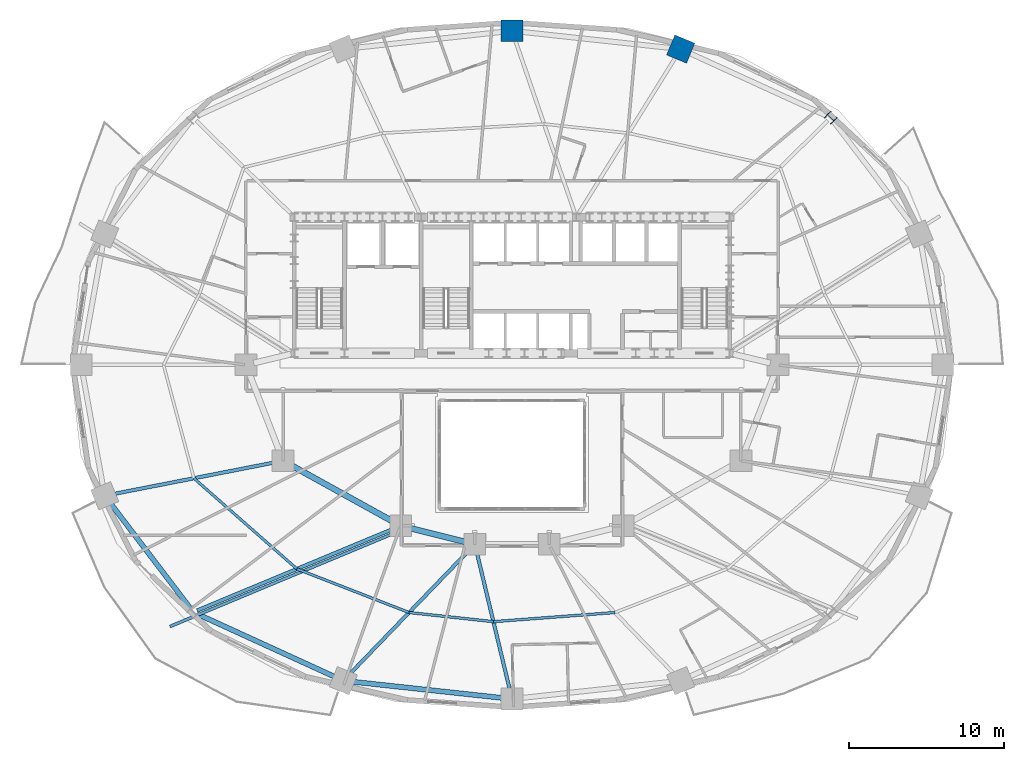
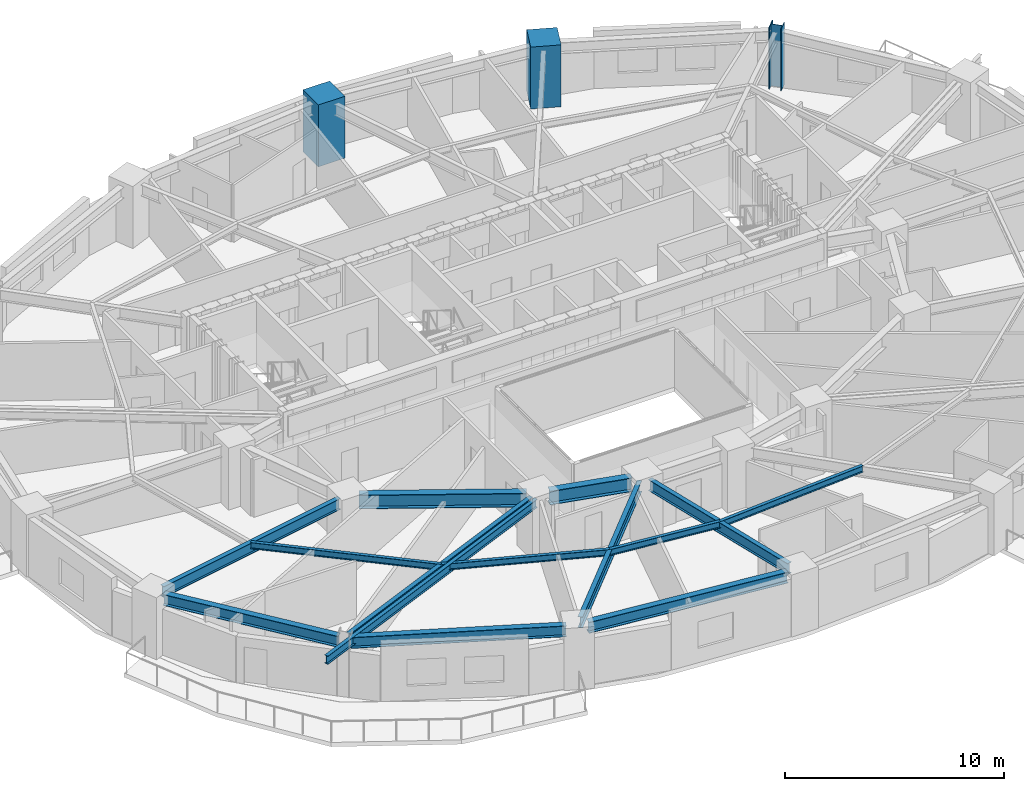
# One storey, part 2 of 15: 14 beams, 3 columns.
"""IFC4 building model written with IfcOpenShell, lengths in metres."""

from ifc_helpers import new_model, si_unit, direction, frame, origin, origin_2d, place, context, subcontext, project, spatial, rectangle, i_section, extrude, material, material_profile, profile_set, type_object, element, save


model = new_model("IFC4")

# Units and contexts
model_context = context("Model", 3, precision=1e-05, world=origin(), true_north=direction((0.0, 1.0)))
body_context = subcontext(model_context, "Body", "Model", "MODEL_VIEW")
ifc_project = project(units=[si_unit("LENGTHUNIT", "METRE"), si_unit("AREAUNIT", "SQUARE_METRE"), si_unit("VOLUMEUNIT", "CUBIC_METRE"), si_unit("PLANEANGLEUNIT", "RADIAN"), si_unit("MASSUNIT", "GRAM", prefix="KILO")], contexts=[model_context])

# Site, building, storey
site_placement = place(None, origin())
site = spatial("IfcSite", under=ifc_project, at=site_placement, CompositionType="ELEMENT")
building_placement = place(site_placement, origin())
building = spatial("IfcBuilding", under=site, at=building_placement, Name="Haldorwick Loom Tower", CompositionType="ELEMENT")
storey_placement = place(building_placement, frame((0.0, 0.0, 81.800048828125)))
storey = spatial("IfcBuildingStorey", under=building, at=storey_placement, Name="L21", CompositionType="ELEMENT", Elevation=81.800048828125)

# Columns
ifc_material_1 = material(Name="Concrete C60 (60 MPa)", Category="concrete")
ifc_material_profile_1 = material_profile(ifc_material_1, rectangle(XDim=1.39990234375, YDim=1.39990234375, at=origin_2d()), Name="RC1400X1400", Category="concrete")
ifc_profile_set_1 = profile_set([ifc_material_profile_1], Name="Concrete C60 (60 MPa)")
column_type_1 = type_object("IfcColumnType", Name="STR-COL-RC1400", PredefinedType="PILASTER", material=ifc_profile_set_1)
for number, where, z_axis, x_axis, name in (
    (1, (46.906494140625, 46.417724609375, 0.0), (0.0, 0.0, 1.0), (0.382683432365, 0.923879532511, 0.0), "L21 Perimeter Pier Column P04"),
    (2, (36.0, 47.598388671875, 0.0), (0.0, 0.0, 1.0), (0.0, 1.0, 0.0), "L21 Perimeter Pier Column P05"),
):
    element("IfcColumn", number, at=place(storey_placement, frame(where, z_axis=z_axis, x_axis=x_axis)), inside=storey, type_object=column_type_1, Name=name, PredefinedType="PILASTER", context=body_context, shape_type="SweptSolid", body=[
        extrude(rectangle(XDim=1.39990234375, YDim=1.39990234375, at=origin_2d()), origin(), (0.0, 0.0, 1.0), 3.449951171875),
    ])
ifc_material_2 = material(Name="Steel CSA G40.21 350WT", Category="steel")
ifc_material_profile_2 = material_profile(ifc_material_2, i_section(OverallWidth=0.60009765625, OverallDepth=0.60009765625, WebThickness=0.02490234375, FlangeThickness=0.035888671875, at=origin_2d()), Name="WWF600X600", Category="steel")
ifc_profile_set_2 = profile_set([ifc_material_profile_2], Name="Steel CSA G40.21 350WT")
column_type_2 = type_object("IfcColumnType", Name="STR-COL-WWF600", PredefinedType="COLUMN", material=ifc_profile_set_2)
column_placement = place(storey_placement, frame((56.606689453125, 41.981689453125, 0.0), z_axis=(0.0, 0.0, 1.0), x_axis=(0.707106781187, 0.707106781187, 0.0)))
element("IfcColumn", 3, at=column_placement, inside=storey, type_object=column_type_2, Name="L21 Perimeter Pier Column P03", PredefinedType="COLUMN", context=body_context, shape_type="SweptSolid", body=[
    extrude(i_section(OverallWidth=0.60009765625, OverallDepth=0.60009765625, WebThickness=0.02490234375, FlangeThickness=0.035888671875, at=origin_2d()), origin(), (0.0, 0.0, 1.0), 3.449951171875),
])

# Beams
ifc_material_3 = material(Name="Steel CSA G40.21 350W", Category="steel")
ifc_material_profile_3 = material_profile(ifc_material_3, i_section(OverallWidth=0.193115234375, OverallDepth=0.466064453125, WebThickness=0.011474609375, FlangeThickness=0.01904296875, at=origin_2d()), Name="W460X97", Category="steel")
ifc_profile_set_3 = profile_set([ifc_material_profile_3], Name="Steel CSA G40.21 350W")
beam_type_1 = type_object("IfcBeamType", Name="STR-BM-BAL460", PredefinedType="BEAM", material=ifc_profile_set_3)
beam_1_placement = place(storey_placement, frame((28.427490234375, 15.1416015625, 2.97705078125), z_axis=(-0.923185561192, -0.38435454935, 0.0), x_axis=(0.38435454935, -0.923185561192, 0.0)))
element("IfcBeam", 4, at=beam_1_placement, inside=storey, type_object=beam_type_1, Name="L21 Continuous Back-Spanned Balcony Beam 2", PredefinedType="BEAM", context=body_context, shape_type="SweptSolid", body=[
    extrude(i_section(OverallWidth=0.193115234375, OverallDepth=0.466064453125, WebThickness=0.011474609375, FlangeThickness=0.01904296875, at=origin_2d()), origin(), (0.0, 0.0, 1.0), 15.752197265625),
])
ifc_material_profile_4 = material_profile(ifc_material_3, i_section(OverallWidth=0.172119140625, OverallDepth=0.35791015625, WebThickness=0.0078125, FlangeThickness=0.01318359375, at=origin_2d()), Name="W360X57", Category="steel")
ifc_profile_set_4 = profile_set([ifc_material_profile_4], Name="Steel CSA G40.21 350W")
beam_type_2 = type_object("IfcBeamType", Name="STR-BM-J360", PredefinedType="JOIST", material=ifc_profile_set_4)
beam_2_placement = place(storey_placement, frame((15.434814453125, 18.67138671875, 3.031005859375), z_axis=(0.750721157729, -0.660619212057, 0.0), x_axis=(0.660619212057, 0.750721157729, 0.0)))
element("IfcBeam", 5, at=beam_2_placement, inside=storey, type_object=beam_type_2, Name="L21 Mid-Bay Secondary Joist 10", PredefinedType="JOIST", context=body_context, shape_type="SweptSolid", body=[
    extrude(i_section(OverallWidth=0.172119140625, OverallDepth=0.35791015625, WebThickness=0.0078125, FlangeThickness=0.01318359375, at=origin_2d()), origin(), (0.0, 0.0, 1.0), 8.8740234375),
])
beam_3_placement = place(storey_placement, frame((22.0966796875, 12.80908203125, 3.031005859375), z_axis=(0.932072983051, -0.362270553959, 0.0), x_axis=(0.362270553959, 0.932072983051, 0.0)))
element("IfcBeam", 6, at=beam_3_placement, inside=storey, type_object=beam_type_2, Name="L21 Mid-Bay Secondary Joist 11", PredefinedType="JOIST", context=body_context, shape_type="SweptSolid", body=[
    extrude(i_section(OverallWidth=0.172119140625, OverallDepth=0.35791015625, WebThickness=0.0078125, FlangeThickness=0.01318359375, at=origin_2d()), origin(), (0.0, 0.0, 1.0), 7.7783203125),
])
beam_4_placement = place(storey_placement, frame((29.3466796875, 9.9912109375, 3.031005859375), z_axis=(0.994191869342, -0.107622148904, 0.0), x_axis=(0.107622148904, 0.994191869342, 0.0)))
element("IfcBeam", 7, at=beam_4_placement, inside=storey, type_object=beam_type_2, Name="L21 Mid-Bay Secondary Joist 12", PredefinedType="JOIST", context=body_context, shape_type="SweptSolid", body=[
    extrude(i_section(OverallWidth=0.172119140625, OverallDepth=0.35791015625, WebThickness=0.0078125, FlangeThickness=0.01318359375, at=origin_2d()), origin(), (0.0, 0.0, 1.0), 5.485107421875),
])
beam_5_placement = place(storey_placement, frame((34.800048828125, 9.40087890625, 3.031005859375), z_axis=(0.99718663731, 0.074958724439, 0.0), x_axis=(-0.074958724439, 0.99718663731, 0.0)))
element("IfcBeam", 8, at=beam_5_placement, inside=storey, type_object=beam_type_2, Name="L21 Mid-Bay Secondary Joist 13", PredefinedType="JOIST", context=body_context, shape_type="SweptSolid", body=[
    extrude(i_section(OverallWidth=0.172119140625, OverallDepth=0.35791015625, WebThickness=0.0078125, FlangeThickness=0.01318359375, at=origin_2d()), origin(), (0.0, 0.0, 1.0), 7.87548828125),
])
ifc_material_profile_5 = material_profile(ifc_material_3, i_section(OverallWidth=0.324951171875, OverallDepth=0.615966796875, WebThickness=0.013916015625, FlangeThickness=0.021484375, at=origin_2d()), Name="W610X174", Category="steel")
ifc_profile_set_5 = profile_set([ifc_material_profile_5], Name="Steel CSA G40.21 350W")
beam_type_3 = type_object("IfcBeamType", Name="STR-BM-SP610", PredefinedType="SPANDREL", material=ifc_profile_set_5)
beam_6_placement = place(storey_placement, frame((9.984130859375, 17.12890625, 2.90185546875), z_axis=(0.605453508047, -0.795880675475, 0.0), x_axis=(0.795880675475, 0.605453508047, 0.0)))
element("IfcBeam", 9, at=beam_6_placement, inside=storey, type_object=beam_type_3, Name="L21 Perimeter Spandrel 10", PredefinedType="SPANDREL", context=body_context, shape_type="SweptSolid", body=[
    extrude(i_section(OverallWidth=0.324951171875, OverallDepth=0.615966796875, WebThickness=0.013916015625, FlangeThickness=0.021484375, at=origin_2d()), origin(), (0.0, 0.0, 1.0), 8.6591796875),
])
beam_7_placement = place(storey_placement, frame((15.643310546875, 9.90380859375, 2.90185546875), z_axis=(0.909423969306, -0.415870225011, 0.0), x_axis=(0.415870225011, 0.909423969306, 0.0)))
element("IfcBeam", 10, at=beam_7_placement, inside=storey, type_object=beam_type_3, Name="L21 Perimeter Spandrel 11", PredefinedType="SPANDREL", context=body_context, shape_type="SweptSolid", body=[
    extrude(i_section(OverallWidth=0.324951171875, OverallDepth=0.615966796875, WebThickness=0.013916015625, FlangeThickness=0.021484375, at=origin_2d()), origin(), (0.0, 0.0, 1.0), 9.871337890625),
])
beam_8_placement = place(storey_placement, frame((25.610595703125, 5.5263671875, 2.90185546875), z_axis=(0.994190135627, -0.107638163409, 0.0), x_axis=(0.107638163409, 0.994190135627, 0.0)))
element("IfcBeam", 11, at=beam_8_placement, inside=storey, type_object=beam_type_3, Name="L21 Perimeter Spandrel 12", PredefinedType="SPANDREL", context=body_context, shape_type="SweptSolid", body=[
    extrude(i_section(OverallWidth=0.324951171875, OverallDepth=0.615966796875, WebThickness=0.013916015625, FlangeThickness=0.021484375, at=origin_2d()), origin(), (0.0, 0.0, 1.0), 9.929931640625),
])
ifc_material_profile_6 = material_profile(ifc_material_3, i_section(OverallWidth=0.22998046875, OverallDepth=0.616943359375, WebThickness=0.01318359375, FlangeThickness=0.022216796875, at=origin_2d()), Name="W610X140", Category="steel")
ifc_profile_set_6 = profile_set([ifc_material_profile_6], Name="Steel CSA G40.21 350W")
beam_type_4 = type_object("IfcBeamType", Name="STR-BM-W610B", PredefinedType="BEAM", material=ifc_profile_set_6)
beam_9_placement = place(storey_placement, frame((20.689697265625, 19.7001953125, 2.9013671875), z_axis=(-0.981369581426, -0.192129499692, 0.0), x_axis=(0.192129499692, -0.981369581426, 0.0)))
element("IfcBeam", 12, at=beam_9_placement, inside=storey, type_object=beam_type_4, Name="L21 Radial Floor Girder 10", PredefinedType="BEAM", context=body_context, shape_type="SweptSolid", body=[
    extrude(i_section(OverallWidth=0.22998046875, OverallDepth=0.616943359375, WebThickness=0.01318359375, FlangeThickness=0.022216796875, at=origin_2d()), origin(), (0.0, 0.0, 1.0), 10.70947265625),
])
beam_10_placement = place(storey_placement, frame((28.31982421875, 15.400146484375, 2.9013671875), z_axis=(-0.923183704764, -0.384359008297, 0.0), x_axis=(0.384359008297, -0.923183704764, 0.0)))
element("IfcBeam", 13, at=beam_10_placement, inside=storey, type_object=beam_type_4, Name="L21 Radial Floor Girder 11", PredefinedType="BEAM", context=body_context, shape_type="SweptSolid", body=[
    extrude(i_section(OverallWidth=0.22998046875, OverallDepth=0.616943359375, WebThickness=0.01318359375, FlangeThickness=0.022216796875, at=origin_2d()), origin(), (0.0, 0.0, 1.0), 13.72705078125),
])
beam_11_placement = place(storey_placement, frame((33.239013671875, 14.02587890625, 2.9013671875), z_axis=(-0.694287071595, -0.719698174387, 0.0), x_axis=(0.719698174387, -0.694287071595, 0.0)))
element("IfcBeam", 14, at=beam_11_placement, inside=storey, type_object=beam_type_4, Name="L21 Radial Floor Girder 12", PredefinedType="BEAM", context=body_context, shape_type="SweptSolid", body=[
    extrude(i_section(OverallWidth=0.22998046875, OverallDepth=0.616943359375, WebThickness=0.01318359375, FlangeThickness=0.022216796875, at=origin_2d()), origin(), (0.0, 0.0, 1.0), 11.212158203125),
])
beam_12_placement = place(storey_placement, frame((33.721435546875, 13.894287109375, 2.9013671875), z_axis=(0.233406920764, -0.972379148964, 0.0), x_axis=(0.972379148964, 0.233406920764, 0.0)))
element("IfcBeam", 15, at=beam_12_placement, inside=storey, type_object=beam_type_4, Name="L21 Radial Floor Girder 13", PredefinedType="BEAM", context=body_context, shape_type="SweptSolid", body=[
    extrude(i_section(OverallWidth=0.22998046875, OverallDepth=0.616943359375, WebThickness=0.01318359375, FlangeThickness=0.022216796875, at=origin_2d()), origin(), (0.0, 0.0, 1.0), 9.242431640625),
])
ifc_material_profile_7 = material_profile(ifc_material_3, i_section(OverallWidth=0.381103515625, OverallDepth=0.77294921875, WebThickness=0.0166015625, FlangeThickness=0.027587890625, at=origin_2d()), Name="W760X257", Category="steel")
ifc_profile_set_7 = profile_set([ifc_material_profile_7], Name="Steel CSA G40.21 350W")
beam_type_5 = type_object("IfcBeamType", Name="STR-BM-W760", PredefinedType="BEAM", material=ifc_profile_set_7)
beam_13_placement = place(storey_placement, frame((33.095458984375, 14.526123046875, 2.823486328125), z_axis=(-0.970142500145, 0.242535625036, 0.0), x_axis=(-0.242535625036, -0.970142500145, 0.0)))
element("IfcBeam", 16, at=beam_13_placement, inside=storey, type_object=beam_type_5, Name="L21 Inner Ring Girder 6", PredefinedType="BEAM", context=body_context, shape_type="SweptSolid", body=[
    extrude(i_section(OverallWidth=0.381103515625, OverallDepth=0.77294921875, WebThickness=0.0166015625, FlangeThickness=0.027587890625, at=origin_2d()), origin(), (0.0, 0.0, 1.0), 3.90771484375),
])
beam_14_placement = place(storey_placement, frame((28.344970703125, 15.8515625, 2.823486328125), z_axis=(-0.875244382146, 0.483680960471, 0.0), x_axis=(-0.483680960471, -0.875244382146, 0.0)))
element("IfcBeam", 17, at=beam_14_placement, inside=storey, type_object=beam_type_5, Name="L21 Inner Ring Girder 7", PredefinedType="BEAM", context=body_context, shape_type="SweptSolid", body=[
    extrude(i_section(OverallWidth=0.381103515625, OverallDepth=0.77294921875, WebThickness=0.0166015625, FlangeThickness=0.027587890625, at=origin_2d()), origin(), (0.0, 0.0, 1.0), 7.6435546875),
])

save(model, "model.ifc")
